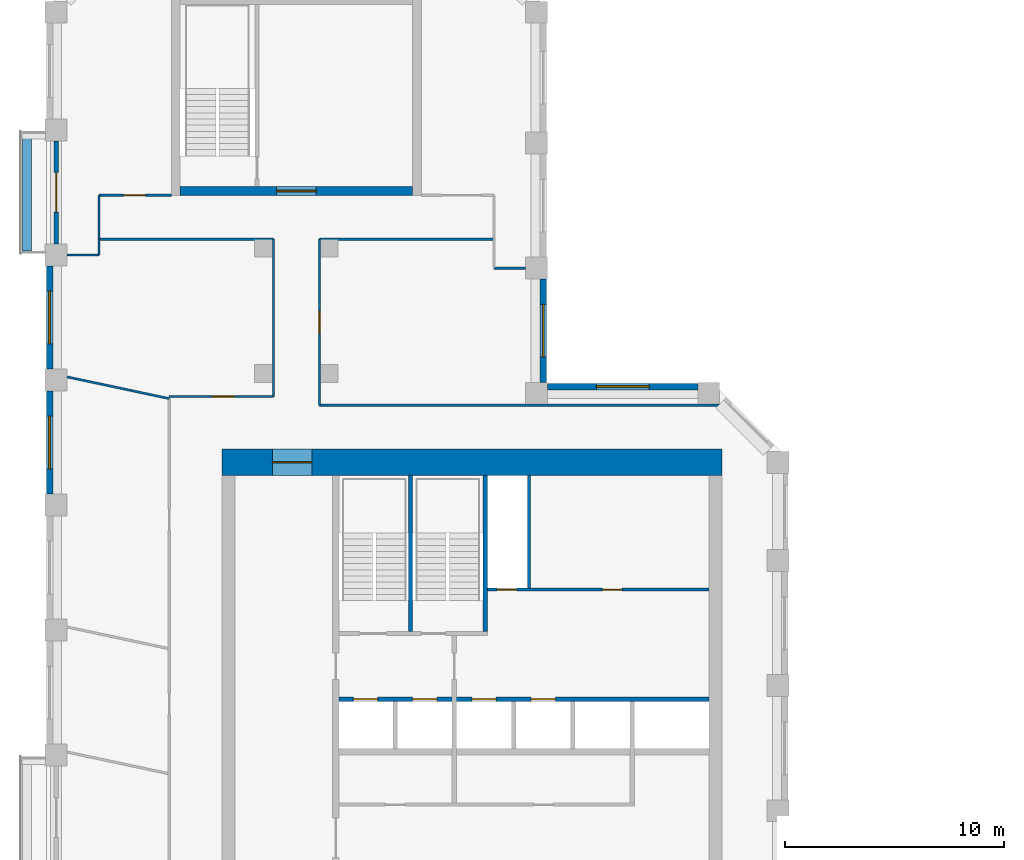
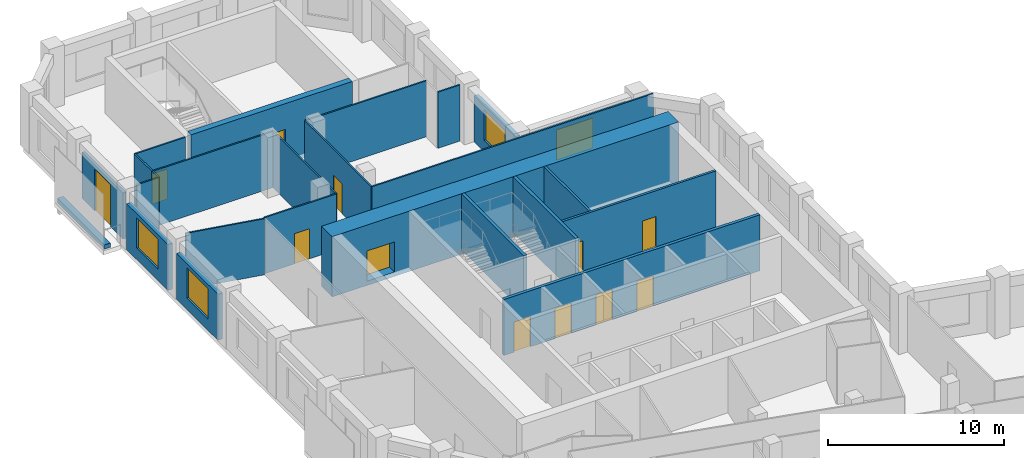
# One storey, part 6 of 9: 25 walls, 12 doors, 4 windows, 16 openings.
"""IFC4 building model written with IfcOpenShell, lengths in metres."""

from ifc_helpers import new_model, si_unit, direction, frame, frame_2d, origin, place, context, subcontext, project, spatial, rectangle, extrude, material, layer, layer_set, type_object, element, fill, save


model = new_model("IFC4")

# Units and contexts
model_context = context("Model", 3, precision=1e-05, world=origin(), true_north=direction((0.0, 1.0)))
body_context = subcontext(model_context, "Body", "Model", "MODEL_VIEW")
ifc_project = project(units=[si_unit("LENGTHUNIT", "METRE"), si_unit("AREAUNIT", "SQUARE_METRE"), si_unit("VOLUMEUNIT", "CUBIC_METRE"), si_unit("PLANEANGLEUNIT", "RADIAN"), si_unit("MASSUNIT", "GRAM", prefix="KILO")], contexts=[model_context])

# Site, building, storey
site_placement = place(None, origin())
site = spatial("IfcSite", under=ifc_project, at=site_placement, CompositionType="ELEMENT")
building_placement = place(site_placement, origin())
building = spatial("IfcBuilding", under=site, at=building_placement, Name="Meshkara Civic Tower", CompositionType="ELEMENT")
storey_placement = place(building_placement, frame((0.0, 0.0, 298.199951171875)))
storey = spatial("IfcBuildingStorey", under=building, at=storey_placement, Name="L68", CompositionType="ELEMENT", Elevation=298.199951171875)

# Wall, openings, doors
ifc_material_1 = material(Name="Blockwork", Category="masonry")
ifc_layer_1 = layer(ifc_material_1, 0.14990234375)
ifc_layer_set_1 = layer_set([ifc_layer_1], Name="Core partition 150")
wall_type_1 = type_object("IfcWallType", Name="Core partition 150", PredefinedType="PARTITIONING", material=ifc_layer_set_1)
wall_1_placement = place(storey_placement, frame((20.10009765625, 30.5, 0.0), z_axis=(0.0, 0.0, 1.0), x_axis=(1.0, 0.0, 0.0)))
wall_1 = element("IfcWall", 1, at=wall_1_placement, inside=storey, type_object=wall_type_1, Name="L68-C010", PredefinedType="PARTITIONING", context=body_context, shape_type="SweptSolid", body=[
    extrude(rectangle(XDim=10.099853515625, YDim=0.14990234375, at=frame_2d((5.0498046875, 0.0))), origin(), (0.0, 0.0, 1.0), 3.900146484375),
])
opening_1_placement = place(wall_1_placement, frame((0.449951171875, 0.0, 0.0)))
opening_1 = element("IfcOpeningElement", 2, at=opening_1_placement, cuts=wall_1, Name="Opening L68-K013", PredefinedType="OPENING", context=body_context, shape_type="SweptSolid", body=[
    extrude(rectangle(XDim=0.89990234375, YDim=2.10009765625, at=frame_2d((0.449951171875, 1.050048828125))), frame((0.0, 0.0849609375, 0.0), z_axis=(0.0, -1.0, 0.0), x_axis=(1.0, 0.0, 0.0)), (0.0, 0.0, 1.0), 0.169921875),
])
opening_2_placement = place(wall_1_placement, frame((5.25, 0.0, 0.0)))
opening_2 = element("IfcOpeningElement", 3, at=opening_2_placement, cuts=wall_1, Name="Opening L68-K014", PredefinedType="OPENING", context=body_context, shape_type="SweptSolid", body=[
    extrude(rectangle(XDim=0.89990234375, YDim=2.10009765625, at=frame_2d((0.449951171875, 1.050048828125))), frame((0.0, 0.0849609375, 0.0), z_axis=(0.0, -1.0, 0.0), x_axis=(1.0, 0.0, 0.0)), (0.0, 0.0, 1.0), 0.169921875),
])
ifc_material_2 = material(Name="Timber door leaf in steel frame", Category="steel")
door_type_1 = type_object("IfcDoorType", Name="Core room door 900", OperationType="SINGLE_SWING_LEFT", PredefinedType="DOOR", material=ifc_material_2)
door_1_placement = place(opening_2_placement, origin())
door_1 = element("IfcDoor", 4, at=door_1_placement, inside=storey, type_object=door_type_1, Name="L68-K014", OperationType="SINGLE_SWING_LEFT", OverallHeight=2.10009765625, OverallWidth=0.89990234375, PredefinedType="DOOR", context=body_context, shape_type="SweptSolid", body=[
    extrude(rectangle(XDim=0.89990234375, YDim=2.10009765625, at=frame_2d((0.449951171875, 1.050048828125))), frame((0.0, 0.02490234375, 0.0), z_axis=(0.0, -1.0, 0.0), x_axis=(1.0, 0.0, 0.0)), (0.0, 0.0, 1.0), 0.050048828125),
])
fill(opening_2, door_1)
ifc_material_3 = material(Name="Fire-rated door leaf in steel frame", Category="steel")
door_type_2 = type_object("IfcDoorType", Name="Riser door 900", OperationType="SINGLE_SWING_LEFT", PredefinedType="DOOR", material=ifc_material_3)
door_2_placement = place(opening_1_placement, origin())
door_2 = element("IfcDoor", 5, at=door_2_placement, inside=storey, type_object=door_type_2, Name="L68-K013", OperationType="SINGLE_SWING_RIGHT", OverallHeight=2.10009765625, OverallWidth=0.89990234375, PredefinedType="DOOR", context=body_context, shape_type="SweptSolid", body=[
    extrude(rectangle(XDim=0.89990234375, YDim=2.10009765625, at=frame_2d((0.449951171875, 1.050048828125))), frame((0.0, 0.02490234375, 0.0), z_axis=(0.0, -1.0, 0.0), x_axis=(1.0, 0.0, 0.0)), (0.0, 0.0, 1.0), 0.050048828125),
])
fill(opening_1, door_2)

# Wall
wall_2_placement = place(storey_placement, frame((22.0, 30.574951171875, 0.0), z_axis=(0.0, 0.0, 1.0), x_axis=(0.0, 1.0, 0.0)))
element("IfcWall", 6, at=wall_2_placement, inside=storey, type_object=wall_type_1, Name="L68-C020", PredefinedType="PARTITIONING", context=body_context, shape_type="SweptSolid", body=[
    extrude(rectangle(XDim=5.125, YDim=0.14990234375, at=frame_2d((2.5625, 0.0))), origin(), (0.0, 0.0, 1.0), 3.900146484375),
])

# Wall, opening, door
ifc_material_4 = material(Name="Concrete C60", Category="concrete")
ifc_layer_2 = layer(ifc_material_4, 1.199951171875)
ifc_layer_set_2 = layer_set([ifc_layer_2], Name="Core ring wall 1200 C60")
wall_type_2 = type_object("IfcWallType", Name="Core ring wall 1200 C60", PredefinedType="SHEAR", material=ifc_layer_set_2)
wall_3_placement = place(storey_placement, frame((8.0, 36.300048828125, -0.300048828125), z_axis=(0.0, 0.0, 1.0), x_axis=(1.0, 0.0, 0.0)))
wall_3 = element("IfcWall", 7, at=wall_3_placement, inside=storey, type_object=wall_type_2, Name="L68-C002", PredefinedType="SHEAR", context=body_context, shape_type="SweptSolid", body=[
    extrude(rectangle(XDim=22.800048828125, YDim=1.199951171875, at=frame_2d((11.39990234375, 0.0))), origin(), (0.0, 0.0, 1.0), 4.2001953125),
])
opening_3_placement = place(wall_3_placement, frame((2.300048828125, 0.0, 0.300048828125)))
opening_3 = element("IfcOpeningElement", 8, at=opening_3_placement, cuts=wall_3, Name="Opening L68-K020", PredefinedType="OPENING", context=body_context, shape_type="SweptSolid", body=[
    extrude(rectangle(XDim=1.800048828125, YDim=2.10009765625, at=frame_2d((0.89990234375, 1.050048828125))), frame((0.0, 0.60986328125, 0.0), z_axis=(0.0, -1.0, 0.0), x_axis=(1.0, 0.0, 0.0)), (0.0, 0.0, 1.0), 1.219970703125),
])
ifc_material_5 = material(Name="Fire-rated door leaf in steel frame", Category="steel")
door_type_3 = type_object("IfcDoorType", Name="Core double door 1800 EI 60", OperationType="DOUBLE_DOOR_SINGLE_SWING", PredefinedType="DOOR", material=ifc_material_5)
door_3_placement = place(opening_3_placement, origin())
door_3 = element("IfcDoor", 9, at=door_3_placement, inside=storey, type_object=door_type_3, Name="L68-K020", OperationType="DOUBLE_DOOR_SINGLE_SWING", OverallHeight=2.10009765625, OverallWidth=1.800048828125, PredefinedType="DOOR", context=body_context, shape_type="SweptSolid", body=[
    extrude(rectangle(XDim=1.800048828125, YDim=2.10009765625, at=frame_2d((0.89990234375, 1.050048828125))), frame((0.0, 0.02490234375, 0.0), z_axis=(0.0, -1.0, 0.0), x_axis=(1.0, 0.0, 0.0)), (0.0, 0.0, 1.0), 0.050048828125),
])
fill(opening_3, door_3)

# Walls
ifc_material_6 = material(Name="Corridor wall 100")
ifc_layer_3 = layer(ifc_material_6, 0.10009765625)
ifc_layer_set_3 = layer_set([ifc_layer_3], Name="Corridor wall 100")
wall_type_3 = type_object("IfcWallType", Name="Corridor wall 100", PredefinedType="PARTITIONING", material=ifc_layer_set_3)
wall_4_placement = place(storey_placement, frame((2.39990234375, 46.469970703125, 0.0), z_axis=(0.0, 0.0, 1.0), x_axis=(1.0, 0.0, 0.0)))
element("IfcWall", 10, at=wall_4_placement, inside=storey, type_object=wall_type_3, Name="L68-W001", PredefinedType="PARTITIONING", context=body_context, shape_type="SweptSolid", body=[
    extrude(rectangle(XDim=7.9501953125, YDim=0.10009765625, at=frame_2d((3.97509765625, 0.0))), origin(), (0.0, 0.0, 1.0), 3.900146484375),
])
wall_5_placement = place(storey_placement, frame((2.39990234375, 48.469970703125, 0.0), z_axis=(0.0, 0.0, 1.0), x_axis=(0.0, -1.0, 0.0)))
element("IfcWall", 11, at=wall_5_placement, inside=storey, type_object=wall_type_3, Name="L68-W002", PredefinedType="PARTITIONING", context=body_context, shape_type="SweptSolid", body=[
    extrude(rectangle(XDim=2.0, YDim=0.10009765625, at=frame_2d((1.0, 0.0))), origin(), (0.0, 0.0, 1.0), 3.900146484375),
])

# Wall, opening, door
wall_6_placement = place(storey_placement, frame((5.699951171875, 48.469970703125, 0.0), z_axis=(0.0, 0.0, 1.0), x_axis=(-1.0, 0.0, 0.0)))
wall_6 = element("IfcWall", 12, at=wall_6_placement, inside=storey, type_object=wall_type_3, Name="L68-W005", PredefinedType="PARTITIONING", context=body_context, shape_type="SweptSolid", body=[
    extrude(rectangle(XDim=3.300048828125, YDim=0.10009765625, at=frame_2d((1.64990234375, 0.0))), origin(), (0.0, 0.0, 1.0), 3.900146484375),
])
opening_4_placement = place(wall_6_placement, frame((1.179931640625, 0.0, 0.0)))
opening_4 = element("IfcOpeningElement", 13, at=opening_4_placement, cuts=wall_6, Name="Opening L68-D020", PredefinedType="OPENING", context=body_context, shape_type="SweptSolid", body=[
    extrude(rectangle(XDim=1.0, YDim=2.10009765625, at=frame_2d((0.5, 1.050048828125))), frame((0.0, 0.06005859375, 0.0), z_axis=(0.0, -1.0, 0.0), x_axis=(1.0, 0.0, 0.0)), (0.0, 0.0, 1.0), 0.1201171875),
])
ifc_material_7 = material(Name="Door 1000 x 2100")
door_type_4 = type_object("IfcDoorType", Name="Door 1000 x 2100", OperationType="SINGLE_SWING_LEFT", PredefinedType="DOOR", material=ifc_material_7)
door_4_placement = place(opening_4_placement, origin())
door_4 = element("IfcDoor", 14, at=door_4_placement, inside=storey, type_object=door_type_4, Name="L68-D020", OperationType="SINGLE_SWING_LEFT", OverallHeight=2.10009765625, OverallWidth=1.0, PredefinedType="DOOR", context=body_context, shape_type="SweptSolid", body=[
    extrude(rectangle(XDim=1.0, YDim=2.10009765625, at=frame_2d((0.5, 1.050048828125))), frame((0.0, 0.02490234375, 0.0), z_axis=(0.0, -1.0, 0.0), x_axis=(1.0, 0.0, 0.0)), (0.0, 0.0, 1.0), 0.050048828125),
])
fill(opening_4, door_4)

wall_7_placement = place(storey_placement, frame((10.35009765625, 39.300048828125, 0.0), z_axis=(0.0, 0.0, 1.0), x_axis=(-1.0, 0.0, 0.0)))
wall_7 = element("IfcWall", 15, at=wall_7_placement, inside=storey, type_object=wall_type_3, Name="L68-W011", PredefinedType="PARTITIONING", context=body_context, shape_type="SweptSolid", body=[
    extrude(rectangle(XDim=4.75, YDim=0.10009765625, at=frame_2d((2.375, 0.0))), origin(), (0.0, 0.0, 1.0), 3.900146484375),
])
opening_5_placement = place(wall_7_placement, frame((1.780029296875, 0.0, 0.0)))
opening_5 = element("IfcOpeningElement", 16, at=opening_5_placement, cuts=wall_7, Name="Opening L68-D018", PredefinedType="OPENING", context=body_context, shape_type="SweptSolid", body=[
    extrude(rectangle(XDim=1.0, YDim=2.10009765625, at=frame_2d((0.5, 1.050048828125))), frame((0.0, 0.06005859375, 0.0), z_axis=(0.0, -1.0, 0.0), x_axis=(1.0, 0.0, 0.0)), (0.0, 0.0, 1.0), 0.1201171875),
])
door_5_placement = place(opening_5_placement, origin())
door_5 = element("IfcDoor", 17, at=door_5_placement, inside=storey, type_object=door_type_4, Name="L68-D018", OperationType="SINGLE_SWING_RIGHT", OverallHeight=2.10009765625, OverallWidth=1.0, PredefinedType="DOOR", context=body_context, shape_type="SweptSolid", body=[
    extrude(rectangle(XDim=1.0, YDim=2.10009765625, at=frame_2d((0.5, 1.050048828125))), frame((0.0, 0.02490234375, 0.0), z_axis=(0.0, -1.0, 0.0), x_axis=(1.0, 0.0, 0.0)), (0.0, 0.0, 1.0), 0.050048828125),
])
fill(opening_5, door_5)

# Wall
wall_8_placement = place(storey_placement, frame((10.35009765625, 46.469970703125, 0.0), z_axis=(0.0, 0.0, 1.0), x_axis=(0.0, -1.0, 0.0)))
element("IfcWall", 18, at=wall_8_placement, inside=storey, type_object=wall_type_3, Name="L68-W012", PredefinedType="PARTITIONING", context=body_context, shape_type="SweptSolid", body=[
    extrude(rectangle(XDim=7.169921875, YDim=0.10009765625, at=frame_2d((3.5849609375, 0.0))), origin(), (0.0, 0.0, 1.0), 3.900146484375),
])

# Wall, opening, door
wall_9_placement = place(storey_placement, frame((12.449951171875, 38.89990234375, 0.0), z_axis=(0.0, 0.0, 1.0), x_axis=(0.0, 1.0, 0.0)))
wall_9 = element("IfcWall", 19, at=wall_9_placement, inside=storey, type_object=wall_type_3, Name="L68-W013", PredefinedType="PARTITIONING", context=body_context, shape_type="SweptSolid", body=[
    extrude(rectangle(XDim=7.570068359375, YDim=0.10009765625, at=frame_2d((3.78515625, 0.0))), origin(), (0.0, 0.0, 1.0), 3.900146484375),
])
opening_6_placement = place(wall_9_placement, frame((3.280029296875, 0.0, 0.0)))
opening_6 = element("IfcOpeningElement", 20, at=opening_6_placement, cuts=wall_9, Name="Opening L68-D019", PredefinedType="OPENING", context=body_context, shape_type="SweptSolid", body=[
    extrude(rectangle(XDim=1.0, YDim=2.10009765625, at=frame_2d((0.5, 1.050048828125))), frame((0.0, 0.06005859375, 0.0), z_axis=(0.0, -1.0, 0.0), x_axis=(1.0, 0.0, 0.0)), (0.0, 0.0, 1.0), 0.1201171875),
])
door_6_placement = place(opening_6_placement, origin())
door_6 = element("IfcDoor", 21, at=door_6_placement, inside=storey, type_object=door_type_4, Name="L68-D019", OperationType="SINGLE_SWING_RIGHT", OverallHeight=2.10009765625, OverallWidth=1.0, PredefinedType="DOOR", context=body_context, shape_type="SweptSolid", body=[
    extrude(rectangle(XDim=1.0, YDim=2.10009765625, at=frame_2d((0.5, 1.050048828125))), frame((0.0, 0.02490234375, 0.0), z_axis=(0.0, -1.0, 0.0), x_axis=(1.0, 0.0, 0.0)), (0.0, 0.0, 1.0), 0.050048828125),
])
fill(opening_6, door_6)

# Walls
wall_10_placement = place(storey_placement, frame((12.449951171875, 46.469970703125, 0.0), z_axis=(0.0, 0.0, 1.0), x_axis=(1.0, 0.0, 0.0)))
element("IfcWall", 22, at=wall_10_placement, inside=storey, type_object=wall_type_3, Name="L68-W014", PredefinedType="PARTITIONING", context=body_context, shape_type="SweptSolid", body=[
    extrude(rectangle(XDim=7.949951171875, YDim=0.10009765625, at=frame_2d((3.97509765625, 0.0))), origin(), (0.0, 0.0, 1.0), 3.900146484375),
])
wall_11_placement = place(storey_placement, frame((30.9560546875, 38.89990234375, 0.0), z_axis=(0.0, 0.0, 1.0), x_axis=(-1.0, 0.0, 0.0)))
element("IfcWall", 23, at=wall_11_placement, inside=storey, type_object=wall_type_3, Name="L68-W019", PredefinedType="PARTITIONING", context=body_context, shape_type="SweptSolid", body=[
    extrude(rectangle(XDim=18.506103515625, YDim=0.10009765625, at=frame_2d((9.2529296875, 0.0))), origin(), (0.0, 0.0, 1.0), 3.900146484375),
])

# Wall, opening, window
ifc_material_8 = material(Name="Insulated infill panel with bronze anodised aluminium cladding", Category="aluminium")
ifc_layer_4 = layer(ifc_material_8, 0.300048828125)
ifc_layer_set_4 = layer_set([ifc_layer_4], Name="EXTERNAL INFILL WALL 300")
wall_type_4 = type_object("IfcWallType", Name="EXTERNAL INFILL WALL 300", PredefinedType="SOLIDWALL", material=ifc_layer_set_4)
wall_12_placement = place(storey_placement, frame((29.694091796875, 39.75, 0.0), z_axis=(0.0, 0.0, 1.0), x_axis=(-1.0, 0.0, 0.0)))
wall_12 = element("IfcWall", 24, at=wall_12_placement, inside=storey, type_object=wall_type_4, Name="External wall", PredefinedType="SOLIDWALL", context=body_context, shape_type="SweptSolid", body=[
    extrude(rectangle(XDim=6.843994140625, YDim=0.300048828125, at=frame_2d((3.421875, 0.0))), origin(), (0.0, 0.0, 1.0), 3.199951171875),
])
opening_7_placement = place(wall_12_placement, frame((2.221923828125, 0.0, 0.800048828125)))
opening_7 = element("IfcOpeningElement", 25, at=opening_7_placement, cuts=wall_12, Name="Opening W7", PredefinedType="OPENING", context=body_context, shape_type="SweptSolid", body=[
    extrude(rectangle(XDim=2.39990234375, YDim=2.10009765625, at=frame_2d((1.199951171875, 1.050048828125))), frame((0.0, 0.159912109375, 0.0), z_axis=(0.0, -1.0, 0.0), x_axis=(1.0, 0.0, 0.0)), (0.0, 0.0, 1.0), 0.320068359375),
])
ifc_material_9 = material(Name="Tinted double glazing", Category="glass")
window_type = type_object("IfcWindowType", Name="WINDOW 2400x2100", PartitioningType="DOUBLE_PANEL_VERTICAL", PredefinedType="WINDOW", material=ifc_material_9)
window_1_placement = place(opening_7_placement, origin())
window_1 = element("IfcWindow", 26, at=window_1_placement, inside=storey, type_object=window_type, Name="Window", OverallHeight=2.10009765625, OverallWidth=2.39990234375, PartitioningType="DOUBLE_PANEL_VERTICAL", PredefinedType="WINDOW", context=body_context, shape_type="SweptSolid", body=[
    extrude(rectangle(XDim=2.39990234375, YDim=2.10009765625, at=frame_2d((1.199951171875, 1.050048828125))), frame((0.0, 0.030029296875, 0.0), z_axis=(0.0, -1.0, 0.0), x_axis=(1.0, 0.0, 0.0)), (0.0, 0.0, 1.0), 0.06005859375),
])
fill(opening_7, window_1)

wall_13_placement = place(storey_placement, frame((22.64990234375, 39.949951171875, 0.0), z_axis=(0.0, 0.0, 1.0), x_axis=(0.0, 1.0, 0.0)))
wall_13 = element("IfcWall", 27, at=wall_13_placement, inside=storey, type_object=wall_type_4, Name="External wall", PredefinedType="SOLIDWALL", context=body_context, shape_type="SweptSolid", body=[
    extrude(rectangle(XDim=4.699951171875, YDim=0.300048828125, at=frame_2d((2.35009765625, 0.0))), origin(), (0.0, 0.0, 1.0), 3.199951171875),
])
opening_8_placement = place(wall_13_placement, frame((1.14990234375, 0.0, 0.800048828125)))
opening_8 = element("IfcOpeningElement", 28, at=opening_8_placement, cuts=wall_13, Name="Opening W7", PredefinedType="OPENING", context=body_context, shape_type="SweptSolid", body=[
    extrude(rectangle(XDim=2.39990234375, YDim=2.10009765625, at=frame_2d((1.199951171875, 1.050048828125))), frame((0.0, 0.159912109375, 0.0), z_axis=(0.0, -1.0, 0.0), x_axis=(1.0, 0.0, 0.0)), (0.0, 0.0, 1.0), 0.320068359375),
])
window_2_placement = place(opening_8_placement, origin())
window_2 = element("IfcWindow", 29, at=window_2_placement, inside=storey, type_object=window_type, Name="Window", OverallHeight=2.10009765625, OverallWidth=2.39990234375, PartitioningType="DOUBLE_PANEL_VERTICAL", PredefinedType="WINDOW", context=body_context, shape_type="SweptSolid", body=[
    extrude(rectangle(XDim=2.39990234375, YDim=2.10009765625, at=frame_2d((1.199951171875, 1.050048828125))), frame((0.0, 0.030029296875, 0.0), z_axis=(0.0, -1.0, 0.0), x_axis=(1.0, 0.0, 0.0)), (0.0, 0.0, 1.0), 0.06005859375),
])
fill(opening_8, window_2)

wall_14_placement = place(storey_placement, frame((0.14990234375, 45.2548828125, 0.0), z_axis=(0.0, 0.0, 1.0), x_axis=(0.0, -1.0, 0.0)))
wall_14 = element("IfcWall", 30, at=wall_14_placement, inside=storey, type_object=wall_type_4, Name="External wall", PredefinedType="SOLIDWALL", context=body_context, shape_type="SweptSolid", body=[
    extrude(rectangle(XDim=4.699951171875, YDim=0.300048828125, at=frame_2d((2.35009765625, 0.0))), origin(), (0.0, 0.0, 1.0), 3.199951171875),
])
opening_9_placement = place(wall_14_placement, frame((1.14990234375, 0.0, 0.800048828125)))
opening_9 = element("IfcOpeningElement", 31, at=opening_9_placement, cuts=wall_14, Name="Opening W7", PredefinedType="OPENING", context=body_context, shape_type="SweptSolid", body=[
    extrude(rectangle(XDim=2.39990234375, YDim=2.10009765625, at=frame_2d((1.199951171875, 1.050048828125))), frame((0.0, 0.159912109375, 0.0), z_axis=(0.0, -1.0, 0.0), x_axis=(1.0, 0.0, 0.0)), (0.0, 0.0, 1.0), 0.320068359375),
])
window_3_placement = place(opening_9_placement, origin())
window_3 = element("IfcWindow", 32, at=window_3_placement, inside=storey, type_object=window_type, Name="Window", OverallHeight=2.10009765625, OverallWidth=2.39990234375, PartitioningType="DOUBLE_PANEL_VERTICAL", PredefinedType="WINDOW", context=body_context, shape_type="SweptSolid", body=[
    extrude(rectangle(XDim=2.39990234375, YDim=2.10009765625, at=frame_2d((1.199951171875, 1.050048828125))), frame((0.0, 0.030029296875, 0.0), z_axis=(0.0, -1.0, 0.0), x_axis=(1.0, 0.0, 0.0)), (0.0, 0.0, 1.0), 0.06005859375),
])
fill(opening_9, window_3)

wall_15_placement = place(storey_placement, frame((0.14990234375, 39.554931640625, 0.0), z_axis=(0.0, 0.0, 1.0), x_axis=(0.0, -1.0, 0.0)))
wall_15 = element("IfcWall", 33, at=wall_15_placement, inside=storey, type_object=wall_type_4, Name="External wall", PredefinedType="SOLIDWALL", context=body_context, shape_type="SweptSolid", body=[
    extrude(rectangle(XDim=4.699951171875, YDim=0.300048828125, at=frame_2d((2.35009765625, 0.0))), origin(), (0.0, 0.0, 1.0), 3.199951171875),
])
opening_10_placement = place(wall_15_placement, frame((1.14990234375, 0.0, 0.800048828125)))
opening_10 = element("IfcOpeningElement", 34, at=opening_10_placement, cuts=wall_15, Name="Opening W7", PredefinedType="OPENING", context=body_context, shape_type="SweptSolid", body=[
    extrude(rectangle(XDim=2.39990234375, YDim=2.10009765625, at=frame_2d((1.199951171875, 1.050048828125))), frame((0.0, 0.159912109375, 0.0), z_axis=(0.0, -1.0, 0.0), x_axis=(1.0, 0.0, 0.0)), (0.0, 0.0, 1.0), 0.320068359375),
])
window_4_placement = place(opening_10_placement, origin())
window_4 = element("IfcWindow", 35, at=window_4_placement, inside=storey, type_object=window_type, Name="Window", OverallHeight=2.10009765625, OverallWidth=2.39990234375, PartitioningType="DOUBLE_PANEL_VERTICAL", PredefinedType="WINDOW", context=body_context, shape_type="SweptSolid", body=[
    extrude(rectangle(XDim=2.39990234375, YDim=2.10009765625, at=frame_2d((1.199951171875, 1.050048828125))), frame((0.0, 0.030029296875, 0.0), z_axis=(0.0, -1.0, 0.0), x_axis=(1.0, 0.0, 0.0)), (0.0, 0.0, 1.0), 0.06005859375),
])
fill(opening_10, window_4)

# Wall, opening, door
ifc_material_10 = material(Name="Concrete C60", Category="concrete")
ifc_layer_5 = layer(ifc_material_10, 0.39990234375)
ifc_layer_set_5 = layer_set([ifc_layer_5], Name="End core ring wall 400 C60")
wall_type_5 = type_object("IfcWallType", Name="End core ring wall 400 C60", PredefinedType="SHEAR", material=ifc_layer_set_5)
wall_16_placement = place(storey_placement, frame((6.10009765625, 48.669921875, -0.300048828125), z_axis=(0.0, 0.0, 1.0), x_axis=(1.0, 0.0, 0.0)))
wall_16 = element("IfcWall", 36, at=wall_16_placement, inside=storey, type_object=wall_type_5, Name="L68-C028", PredefinedType="SHEAR", context=body_context, shape_type="SweptSolid", body=[
    extrude(rectangle(XDim=10.599853515625, YDim=0.39990234375, at=frame_2d((5.2998046875, 0.0))), origin(), (0.0, 0.0, 1.0), 4.2001953125),
])
opening_11_placement = place(wall_16_placement, frame((4.39990234375, 0.0, 0.300048828125)))
opening_11 = element("IfcOpeningElement", 37, at=opening_11_placement, cuts=wall_16, Name="Opening L68-K102", PredefinedType="OPENING", context=body_context, shape_type="SweptSolid", body=[
    extrude(rectangle(XDim=1.800048828125, YDim=2.10009765625, at=frame_2d((0.89990234375, 1.050048828125))), frame((0.0, 0.2099609375, 0.0), z_axis=(0.0, -1.0, 0.0), x_axis=(1.0, 0.0, 0.0)), (0.0, 0.0, 1.0), 0.419921875),
])
door_7_placement = place(opening_11_placement, origin())
door_7 = element("IfcDoor", 38, at=door_7_placement, inside=storey, type_object=door_type_3, Name="L68-K102", OperationType="DOUBLE_DOOR_SINGLE_SWING", OverallHeight=2.10009765625, OverallWidth=1.800048828125, PredefinedType="DOOR", context=body_context, shape_type="SweptSolid", body=[
    extrude(rectangle(XDim=1.800048828125, YDim=2.10009765625, at=frame_2d((0.89990234375, 1.050048828125))), frame((0.0, 0.02490234375, 0.0), z_axis=(0.0, -1.0, 0.0), x_axis=(1.0, 0.0, 0.0)), (0.0, 0.0, 1.0), 0.050048828125),
])
fill(opening_11, door_7)

ifc_material_11 = material(Name="Insulated infill panel with bronze anodised aluminium cladding", Category="aluminium")
ifc_layer_6 = layer(ifc_material_11, 0.199951171875)
ifc_layer_set_6 = layer_set([ifc_layer_6], Name="LOGGIA BACK WALL 200")
wall_type_6 = type_object("IfcWallType", Name="LOGGIA BACK WALL 200", PredefinedType="SOLIDWALL", material=ifc_layer_set_6)
wall_17_placement = place(storey_placement, frame((0.449951171875, 50.9541015625, 0.0), z_axis=(0.0, 0.0, 1.0), x_axis=(0.0, -1.0, 0.0)))
wall_17 = element("IfcWall", 39, at=wall_17_placement, inside=storey, type_object=wall_type_6, Name="Loggia wall", PredefinedType="SOLIDWALL", context=body_context, shape_type="SweptSolid", body=[
    extrude(rectangle(XDim=4.697998046875, YDim=0.199951171875, at=frame_2d((2.34912109375, 0.0))), origin(), (0.0, 0.0, 1.0), 3.199951171875),
])
opening_12_placement = place(wall_17_placement, frame((1.448974609375, 0.0, 0.0)))
opening_12 = element("IfcOpeningElement", 40, at=opening_12_placement, cuts=wall_17, Name="Opening L68-L001", PredefinedType="OPENING", context=body_context, shape_type="SweptSolid", body=[
    extrude(rectangle(XDim=1.800048828125, YDim=2.89990234375, at=frame_2d((0.89990234375, 1.449951171875))), frame((0.0, 0.10986328125, 0.0), z_axis=(0.0, -1.0, 0.0), x_axis=(1.0, 0.0, 0.0)), (0.0, 0.0, 1.0), 0.219970703125),
])
ifc_material_12 = material(Name="Tinted double glazing", Category="glass")
door_type_5 = type_object("IfcDoorType", Name="LOGGIA DOOR 1800x2900", OperationType="DOUBLE_DOOR_SINGLE_SWING", PredefinedType="DOOR", material=ifc_material_12)
door_8_placement = place(opening_12_placement, origin())
door_8 = element("IfcDoor", 41, at=door_8_placement, inside=storey, type_object=door_type_5, Name="L68-L001", OperationType="DOUBLE_DOOR_SINGLE_SWING", OverallHeight=2.89990234375, OverallWidth=1.800048828125, PredefinedType="DOOR", context=body_context, shape_type="SweptSolid", body=[
    extrude(rectangle(XDim=1.800048828125, YDim=2.89990234375, at=frame_2d((0.89990234375, 1.449951171875))), frame((0.0, 0.02490234375, 0.0), z_axis=(0.0, -1.0, 0.0), x_axis=(1.0, 0.0, 0.0)), (0.0, 0.0, 1.0), 0.050048828125),
])
fill(opening_12, door_8)

# Walls
ifc_material_13 = material(Name="Concrete C40", Category="concrete")
ifc_layer_7 = layer(ifc_material_13, 0.39990234375)
ifc_layer_set_7 = layer_set([ifc_layer_7], Name="PLANTER TRAY")
wall_type_7 = type_object("IfcWallType", Name="PLANTER TRAY", PredefinedType="SOLIDWALL", material=ifc_layer_set_7)
wall_18_placement = place(storey_placement, frame((-0.8798828125, 51.284912109375, 0.0), z_axis=(0.0, 0.0, 1.0), x_axis=(0.0, -1.0, 0.0)))
element("IfcWall", 42, at=wall_18_placement, inside=storey, type_object=wall_type_7, Name="Planter", PredefinedType="SOLIDWALL", context=body_context, shape_type="SweptSolid", body=[
    extrude(rectangle(XDim=5.35986328125, YDim=0.39990234375, at=frame_2d((2.679931640625, 0.0))), origin(), (0.0, 0.0, 1.0), 0.300048828125),
])
ifc_material_14 = material(Name="Partition 100")
ifc_layer_8 = layer(ifc_material_14, 0.10009765625)
ifc_layer_set_8 = layer_set([ifc_layer_8], Name="Partition 100")
wall_type_8 = type_object("IfcWallType", Name="Partition 100", PredefinedType="PARTITIONING", material=ifc_layer_set_8)
wall_19_placement = place(storey_placement, frame((2.39990234375, 45.7548828125, 0.0), z_axis=(0.0, 0.0, 1.0), x_axis=(-1.0, 0.0, 0.0)))
element("IfcWall", 43, at=wall_19_placement, inside=storey, type_object=wall_type_8, Name="L68-W034", PredefinedType="PARTITIONING", context=body_context, shape_type="SweptSolid", body=[
    extrude(rectangle(XDim=1.449951171875, YDim=0.10009765625, at=frame_2d((0.72509765625, 0.0))), origin(), (0.0, 0.0, 1.0), 3.900146484375),
])
wall_20_placement = place(storey_placement, frame((2.39990234375, 46.47412109375, 0.0), z_axis=(0.0, 0.0, 1.0), x_axis=(0.0, -1.0, 0.0)))
element("IfcWall", 44, at=wall_20_placement, inside=storey, type_object=wall_type_8, Name="L68-W035", PredefinedType="PARTITIONING", context=body_context, shape_type="SweptSolid", body=[
    extrude(rectangle(XDim=0.71923828125, YDim=0.10009765625, at=frame_2d((0.359619140625, 0.0))), origin(), (0.0, 0.0, 1.0), 3.900146484375),
])
wall_21_placement = place(storey_placement, frame((5.60009765625, 39.205078125, 0.0), z_axis=(0.0, 0.0, 1.0), x_axis=(-0.9781221615, 0.208031337021, 0.0)))
element("IfcWall", 45, at=wall_21_placement, inside=storey, type_object=wall_type_8, Name="L68-W038", PredefinedType="PARTITIONING", context=body_context, shape_type="SweptSolid", body=[
    extrude(rectangle(XDim=4.754150390625, YDim=0.10009765625, at=frame_2d((2.376953125, 0.0))), origin(), (0.0, 0.0, 1.0), 3.900146484375),
])
wall_22_placement = place(storey_placement, frame((21.85009765625, 45.14990234375, 0.0), z_axis=(0.0, 0.0, 1.0), x_axis=(-1.0, 0.0, 0.0)))
element("IfcWall", 46, at=wall_22_placement, inside=storey, type_object=wall_type_8, Name="L68-W045", PredefinedType="PARTITIONING", context=body_context, shape_type="SweptSolid", body=[
    extrude(rectangle(XDim=1.4501953125, YDim=0.10009765625, at=frame_2d((0.72509765625, 0.0))), origin(), (0.0, 0.0, 1.0), 3.900146484375),
])

# Wall, openings, doors
ifc_material_15 = material(Name="Concrete C40/50", Category="concrete")
ifc_layer_9 = layer(ifc_material_15, 0.199951171875)
ifc_layer_set_9 = layer_set([ifc_layer_9], Name="Shaft wall 200 C40/50")
wall_type_9 = type_object("IfcWallType", Name="Shaft wall 200 C40/50", PredefinedType="SOLIDWALL", material=ifc_layer_set_9)
wall_23_placement = place(storey_placement, frame((13.35009765625, 25.5, 0.0), z_axis=(0.0, 0.0, 1.0), x_axis=(1.0, 0.0, 0.0)))
wall_23 = element("IfcWall", 47, at=wall_23_placement, inside=storey, type_object=wall_type_9, Name="L68-C008", PredefinedType="SOLIDWALL", context=body_context, shape_type="SweptSolid", body=[
    extrude(rectangle(XDim=16.849853515625, YDim=0.199951171875, at=frame_2d((8.4248046875, 0.0))), origin(), (0.0, 0.0, 1.0), 3.900146484375),
])
opening_13_placement = place(wall_23_placement, frame((0.64990234375, 0.0, 0.0)))
opening_13 = element("IfcOpeningElement", 48, at=opening_13_placement, cuts=wall_23, Name="Opening L68-K005", PredefinedType="OPENING", context=body_context, shape_type="SweptSolid", body=[
    extrude(rectangle(XDim=1.10009765625, YDim=2.10009765625, at=frame_2d((0.550048828125, 1.050048828125))), frame((0.0, 0.10986328125, 0.0), z_axis=(0.0, -1.0, 0.0), x_axis=(1.0, 0.0, 0.0)), (0.0, 0.0, 1.0), 0.219970703125),
])
opening_14_placement = place(wall_23_placement, frame((3.35009765625, 0.0, 0.0)))
opening_14 = element("IfcOpeningElement", 49, at=opening_14_placement, cuts=wall_23, Name="Opening L68-K006", PredefinedType="OPENING", context=body_context, shape_type="SweptSolid", body=[
    extrude(rectangle(XDim=1.10009765625, YDim=2.10009765625, at=frame_2d((0.550048828125, 1.050048828125))), frame((0.0, 0.10986328125, 0.0), z_axis=(0.0, -1.0, 0.0), x_axis=(1.0, 0.0, 0.0)), (0.0, 0.0, 1.0), 0.219970703125),
])
opening_15_placement = place(wall_23_placement, frame((6.050048828125, 0.0, 0.0)))
opening_15 = element("IfcOpeningElement", 50, at=opening_15_placement, cuts=wall_23, Name="Opening L68-K007", PredefinedType="OPENING", context=body_context, shape_type="SweptSolid", body=[
    extrude(rectangle(XDim=1.10009765625, YDim=2.10009765625, at=frame_2d((0.550048828125, 1.050048828125))), frame((0.0, 0.10986328125, 0.0), z_axis=(0.0, -1.0, 0.0), x_axis=(1.0, 0.0, 0.0)), (0.0, 0.0, 1.0), 0.219970703125),
])
opening_16_placement = place(wall_23_placement, frame((8.75, 0.0, 0.0)))
opening_16 = element("IfcOpeningElement", 51, at=opening_16_placement, cuts=wall_23, Name="Opening L68-K008", PredefinedType="OPENING", context=body_context, shape_type="SweptSolid", body=[
    extrude(rectangle(XDim=1.10009765625, YDim=2.10009765625, at=frame_2d((0.550048828125, 1.050048828125))), frame((0.0, 0.10986328125, 0.0), z_axis=(0.0, -1.0, 0.0), x_axis=(1.0, 0.0, 0.0)), (0.0, 0.0, 1.0), 0.219970703125),
])
ifc_material_16 = material(Name="Stainless steel landing door", Category="steel")
door_type_6 = type_object("IfcDoorType", Name="Lift landing door 1100", OperationType="SLIDING_TO_LEFT", PredefinedType="DOOR", material=ifc_material_16)
door_9_placement = place(opening_13_placement, origin())
door_9 = element("IfcDoor", 52, at=door_9_placement, inside=storey, type_object=door_type_6, Name="L68-K005", OperationType="SLIDING_TO_LEFT", OverallHeight=2.10009765625, OverallWidth=1.10009765625, PredefinedType="DOOR", context=body_context, shape_type="SweptSolid", body=[
    extrude(rectangle(XDim=1.10009765625, YDim=2.10009765625, at=frame_2d((0.550048828125, 1.050048828125))), frame((0.0, 0.02490234375, 0.0), z_axis=(0.0, -1.0, 0.0), x_axis=(1.0, 0.0, 0.0)), (0.0, 0.0, 1.0), 0.050048828125),
])
fill(opening_13, door_9)
door_10_placement = place(opening_14_placement, origin())
door_10 = element("IfcDoor", 53, at=door_10_placement, inside=storey, type_object=door_type_6, Name="L68-K006", OperationType="SLIDING_TO_LEFT", OverallHeight=2.10009765625, OverallWidth=1.10009765625, PredefinedType="DOOR", context=body_context, shape_type="SweptSolid", body=[
    extrude(rectangle(XDim=1.10009765625, YDim=2.10009765625, at=frame_2d((0.550048828125, 1.050048828125))), frame((0.0, 0.02490234375, 0.0), z_axis=(0.0, -1.0, 0.0), x_axis=(1.0, 0.0, 0.0)), (0.0, 0.0, 1.0), 0.050048828125),
])
fill(opening_14, door_10)
door_11_placement = place(opening_15_placement, origin())
door_11 = element("IfcDoor", 54, at=door_11_placement, inside=storey, type_object=door_type_6, Name="L68-K007", OperationType="SLIDING_TO_LEFT", OverallHeight=2.10009765625, OverallWidth=1.10009765625, PredefinedType="DOOR", context=body_context, shape_type="SweptSolid", body=[
    extrude(rectangle(XDim=1.10009765625, YDim=2.10009765625, at=frame_2d((0.550048828125, 1.050048828125))), frame((0.0, 0.02490234375, 0.0), z_axis=(0.0, -1.0, 0.0), x_axis=(1.0, 0.0, 0.0)), (0.0, 0.0, 1.0), 0.050048828125),
])
fill(opening_15, door_11)
door_12_placement = place(opening_16_placement, origin())
door_12 = element("IfcDoor", 55, at=door_12_placement, inside=storey, type_object=door_type_6, Name="L68-K008", OperationType="SLIDING_TO_LEFT", OverallHeight=2.10009765625, OverallWidth=1.10009765625, PredefinedType="DOOR", context=body_context, shape_type="SweptSolid", body=[
    extrude(rectangle(XDim=1.10009765625, YDim=2.10009765625, at=frame_2d((0.550048828125, 1.050048828125))), frame((0.0, 0.02490234375, 0.0), z_axis=(0.0, -1.0, 0.0), x_axis=(1.0, 0.0, 0.0)), (0.0, 0.0, 1.0), 0.050048828125),
])
fill(opening_16, door_12)

# Walls
ifc_material_17 = material(Name="Concrete C40/50", Category="concrete")
ifc_layer_10 = layer(ifc_material_17, 0.199951171875)
ifc_layer_set_10 = layer_set([ifc_layer_10], Name="Stair enclosure wall 200 C40/50")
wall_type_10 = type_object("IfcWallType", Name="Stair enclosure wall 200 C40/50", PredefinedType="SOLIDWALL", material=ifc_layer_set_10)
for number, where, z_axis, x_axis, name in (
    (56, (16.60009765625, 28.60009765625, 0.0), (0.0, 0.0, 1.0), (0.0, 1.0, 0.0), "L68-C014"),
    (57, (20.0, 28.60009765625, 0.0), (0.0, 0.0, 1.0), (0.0, 1.0, 0.0), "L68-C018"),
):
    element("IfcWall", number, at=place(storey_placement, frame(where, z_axis=z_axis, x_axis=x_axis)), inside=storey, type_object=wall_type_10, Name=name, PredefinedType="SOLIDWALL", context=body_context, shape_type="SweptSolid", body=[
        extrude(rectangle(XDim=7.099853515625, YDim=0.199951171875, at=frame_2d((3.5498046875, 0.0))), origin(), (0.0, 0.0, 1.0), 3.900146484375),
    ])

save(model, "model.ifc")
